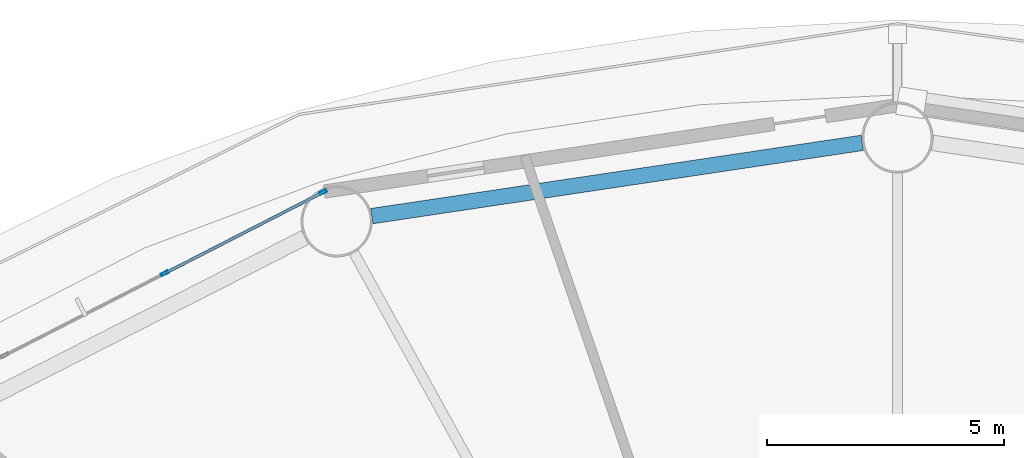
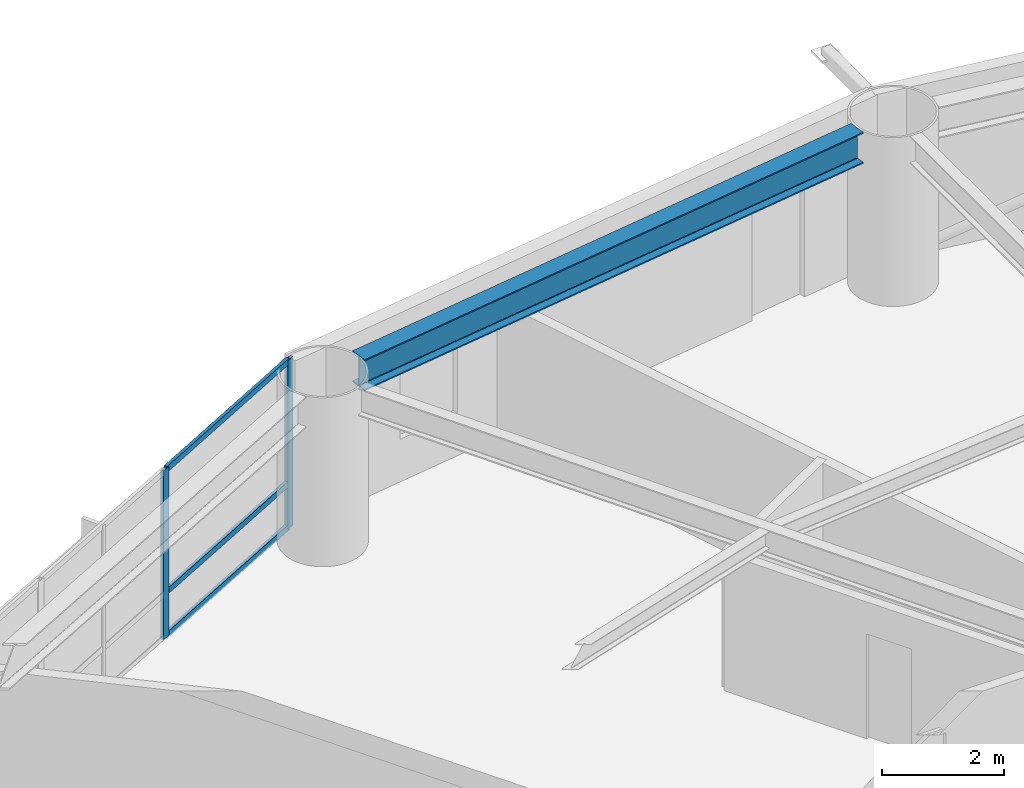
# One storey, part 12 of 26: 5 members, 1 beam, 1 element without a shape of its own.
"""IFC4 building model written with IfcOpenShell, lengths in metres."""

from ifc_helpers import new_model, si_unit, direction, frame, origin, origin_2d, place, context, subcontext, project, spatial, hollow_rectangle, i_section, extrude, material, layer, layer_set, material_profile, profile_set, type_object, element, aggregate, save


model = new_model("IFC4")

# Units and contexts
model_context = context("Model", 3, precision=1e-05, world=origin(), true_north=direction((0.0, 1.0)))
body_context = subcontext(model_context, "Body", "Model", "MODEL_VIEW")
ifc_project = project(units=[si_unit("LENGTHUNIT", "METRE"), si_unit("AREAUNIT", "SQUARE_METRE"), si_unit("VOLUMEUNIT", "CUBIC_METRE"), si_unit("PLANEANGLEUNIT", "RADIAN"), si_unit("MASSUNIT", "GRAM", prefix="KILO")], contexts=[model_context])

# Site, building, storey
site_placement = place(None, origin())
site = spatial("IfcSite", under=ifc_project, at=site_placement, CompositionType="ELEMENT")
building_placement = place(site_placement, origin())
building = spatial("IfcBuilding", under=site, at=building_placement, Name="Sarneth Arch Tower", CompositionType="ELEMENT")
storey_placement = place(building_placement, frame((0.0, 0.0, 71.39990234375)))
storey = spatial("IfcBuildingStorey", under=building, at=storey_placement, Name="L17", CompositionType="ELEMENT", Elevation=71.39990234375)

# Beam
ifc_material_1 = material(Name="Steel S355", Category="steel")
ifc_material_profile_1 = material_profile(ifc_material_1, i_section(OverallWidth=0.326904296875, OverallDepth=0.6220703125, WebThickness=0.015380859375, FlangeThickness=0.0244140625, FilletRadius=0.01904296875, at=origin_2d()), Name="W610x195")
ifc_profile_set_1 = profile_set([ifc_material_profile_1], Name="Steel S355")
beam_type = type_object("IfcBeamType", Name="BM-SPAN-610A", PredefinedType="SPANDREL", material=ifc_profile_set_1)
beam_placement = place(storey_placement, frame((47.25830078125, 65.089111328125, 3.069091796875), z_axis=(-0.989020169581, -0.147780594675, 0.0), x_axis=(0.147780594675, -0.989020169581, 0.0)))
element("IfcBeam", 1, at=beam_placement, inside=storey, type_object=beam_type, Name="L17 Perimeter spandrel beam 05", PredefinedType="SPANDREL", context=body_context, shape_type="SweptSolid", body=[
    extrude(i_section(OverallWidth=0.326904296875, OverallDepth=0.6220703125, WebThickness=0.015380859375, FlangeThickness=0.0244140625, FilletRadius=0.01904296875, at=origin_2d()), origin(), (0.0, 0.0, 1.0), 10.44921875),
])

# Curtain wall, members
ifc_material_2 = material(Name="Anodised aluminium Type AA25 and solar-control low-e laminated IGU", Category="aluminium")
ifc_layer = layer(ifc_material_2, 0.159912109375)
ifc_layer_set = layer_set([ifc_layer], Name="Anodised aluminium Type AA25 and solar-control low-e laminated IGU")
curtain_wall_type = type_object("IfcCurtainWallType", Name="CW-HOTEL-LOW", PredefinedType="NOTDEFINED", material=ifc_layer_set)
curtain_wall_placement = place(storey_placement, origin())
curtain_wall = element("IfcCurtainWall", 2, at=curtain_wall_placement, inside=storey, type_object=curtain_wall_type, Name="L17 Unitised curtain wall facet 06", PredefinedType="NOTDEFINED")
ifc_material_3 = material(Name="Anodised Aluminium 6063-T6", Category="aluminium")
ifc_material_profile_2 = material_profile(ifc_material_3, hollow_rectangle(XDim=0.06005859375, YDim=0.159912109375, WallThickness=0.00390625, at=origin_2d()), Name="AL-MULL-160x60x4")
ifc_profile_set_2 = profile_set([ifc_material_profile_2], Name="Anodised Aluminium 6063-T6")
member_type_1 = type_object("IfcMemberType", Name="CW-MULLION", PredefinedType="MULLION", material=ifc_profile_set_2)
member_1_placement = place(storey_placement, frame((35.8955078125, 64.048583984375, 0.0), z_axis=(0.0, 0.0, 1.0), x_axis=(0.456245197127, -0.889854100456, 0.0)))
member_1 = element("IfcMember", 3, at=member_1_placement, type_object=member_type_1, Name="CW-SYS-3 mullion 1", PredefinedType="MULLION", context=body_context, shape_type="SweptSolid", body=[
    extrude(hollow_rectangle(XDim=0.06005859375, YDim=0.159912109375, WallThickness=0.00390625, at=origin_2d()), origin(), (0.0, 0.0, 1.0), 3.380126953125),
])
member_2_placement = place(storey_placement, frame((32.556640625, 62.336669921875, 0.0), z_axis=(0.0, 0.0, 1.0), x_axis=(0.456245197127, -0.889854100456, 0.0)))
member_2 = element("IfcMember", 4, at=member_2_placement, type_object=member_type_1, Name="CW-SYS-3 mullion 2", PredefinedType="MULLION", context=body_context, shape_type="SweptSolid", body=[
    extrude(hollow_rectangle(XDim=0.06005859375, YDim=0.159912109375, WallThickness=0.00390625, at=origin_2d()), origin(), (0.0, 0.0, 1.0), 3.380126953125),
])
ifc_material_4 = material(Name="Anodised Aluminium 6063-T6", Category="aluminium")
ifc_material_profile_3 = material_profile(ifc_material_4, hollow_rectangle(XDim=0.06005859375, YDim=0.1201171875, WallThickness=0.00390625, at=origin_2d()), Name="AL-TRAN-120x60x4")
ifc_profile_set_3 = profile_set([ifc_material_profile_3], Name="Anodised Aluminium 6063-T6")
member_type_2 = type_object("IfcMemberType", Name="CW-TRANSOM", PredefinedType="USERDEFINED", material=ifc_profile_set_3)
member_3_placement = place(storey_placement, frame((35.86865234375, 64.034912109375, 0.030029296875), z_axis=(-0.889831232102, -0.456289796485, 0.0), x_axis=(0.456289796485, -0.889831232102, 0.0)))
member_3 = element("IfcMember", 5, at=member_3_placement, type_object=member_type_2, Name="CW-SYS-3 transom 1.1", ObjectType="TRANSOM", PredefinedType="USERDEFINED", context=body_context, shape_type="SweptSolid", body=[
    extrude(hollow_rectangle(XDim=0.06005859375, YDim=0.1201171875, WallThickness=0.00390625, at=origin_2d()), origin(), (0.0, 0.0, 1.0), 3.69189453125),
])
member_4_placement = place(storey_placement, frame((35.86865234375, 64.034912109375, 0.900146484375), z_axis=(-0.889831232102, -0.456289796485, 0.0), x_axis=(0.456289796485, -0.889831232102, 0.0)))
member_4 = element("IfcMember", 6, at=member_4_placement, type_object=member_type_2, Name="CW-SYS-3 transom 1.2", ObjectType="TRANSOM", PredefinedType="USERDEFINED", context=body_context, shape_type="SweptSolid", body=[
    extrude(hollow_rectangle(XDim=0.06005859375, YDim=0.1201171875, WallThickness=0.00390625, at=origin_2d()), origin(), (0.0, 0.0, 1.0), 3.69189453125),
])
member_5_placement = place(storey_placement, frame((35.86865234375, 64.034912109375, 3.35009765625), z_axis=(-0.889831232102, -0.456289796485, 0.0), x_axis=(0.456289796485, -0.889831232102, 0.0)))
member_5 = element("IfcMember", 7, at=member_5_placement, type_object=member_type_2, Name="CW-SYS-3 transom 1.3", ObjectType="TRANSOM", PredefinedType="USERDEFINED", context=body_context, shape_type="SweptSolid", body=[
    extrude(hollow_rectangle(XDim=0.06005859375, YDim=0.1201171875, WallThickness=0.00390625, at=origin_2d()), origin(), (0.0, 0.0, 1.0), 3.69189453125),
])
aggregate(curtain_wall, [member_1, member_2, member_3, member_4, member_5])

save(model, "model.ifc")
